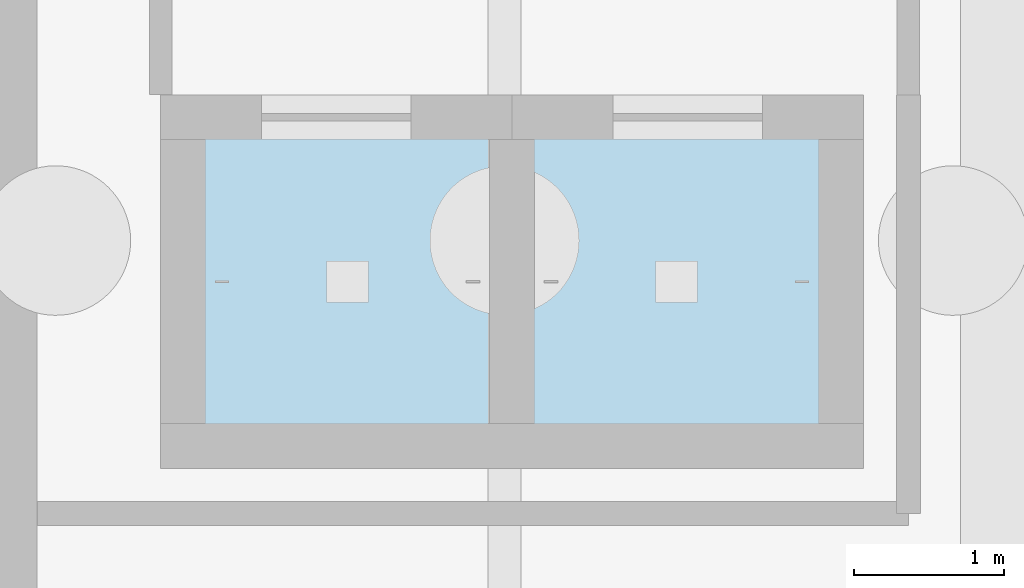
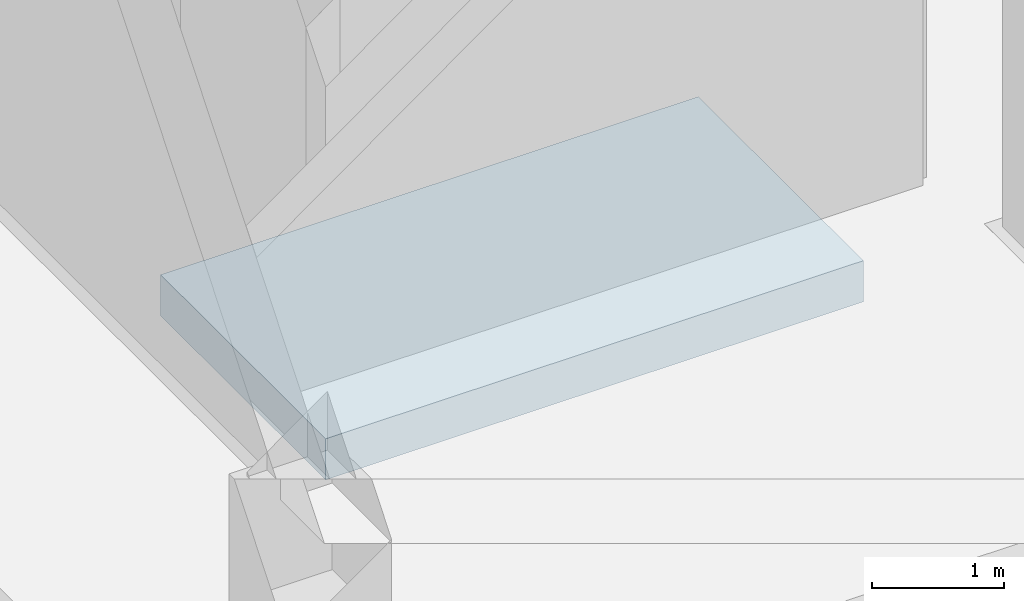
# One storey, part 10 of 44: 1 slab.
"""IFC4 building model written with IfcOpenShell, lengths in metres."""

from ifc_helpers import new_model, si_unit, direction, frame, origin, place, context, subcontext, project, spatial, polyline, outline, extrude, material, layer, layer_set, type_object, element, save


model = new_model("IFC4")

# Units and contexts
model_context = context("Model", 3, precision=1e-05, world=origin(), true_north=direction((0.0, 1.0)))
body_context = subcontext(model_context, "Body", "Model", "MODEL_VIEW")
ifc_project = project(units=[si_unit("LENGTHUNIT", "METRE"), si_unit("AREAUNIT", "SQUARE_METRE"), si_unit("VOLUMEUNIT", "CUBIC_METRE"), si_unit("PLANEANGLEUNIT", "RADIAN"), si_unit("MASSUNIT", "GRAM", prefix="KILO")], contexts=[model_context])

# Site, building, storey
site_placement = place(None, origin())
site = spatial("IfcSite", under=ifc_project, at=site_placement, CompositionType="ELEMENT")
building_placement = place(site_placement, origin())
building = spatial("IfcBuilding", under=site, at=building_placement, Name="Kolvaren Faculty of Natural Sciences", CompositionType="ELEMENT")
storey_placement = place(building_placement, frame((0.0, 0.0, -4.5)))
storey = spatial("IfcBuildingStorey", under=building, at=storey_placement, Name="B01", CompositionType="ELEMENT", Elevation=-4.5)

# Slab
ifc_material = material(Name="Concrete C35/45", Category="concrete")
ifc_layer = layer(ifc_material, 0.3798828125)
ifc_layer_set = layer_set([ifc_layer], Name="Concrete C35/45")
slab_type = type_object("IfcSlabType", Name="LiftPitSlab_380", PredefinedType="BASESLAB", material=ifc_layer_set)
slab_placement = place(storey_placement, frame((0.0, 0.0, -1.199951171875)))
element("IfcSlab", 1, at=slab_placement, inside=storey, type_object=slab_type, Name="Twin lifts PL-2 and PL-4 reinforced concrete pit base slab", PredefinedType="BASESLAB", context=body_context, shape_type="SweptSolid", body=[
    extrude(outline(polyline([(34.199951171875, 26.89990234375), (38.89990234375, 26.89990234375), (38.89990234375, 29.39990234375), (34.199951171875, 29.39990234375), (34.199951171875, 26.89990234375)])), origin(), (0.0, 0.0, 1.0), 0.3798828125),
])

save(model, "model.ifc")
